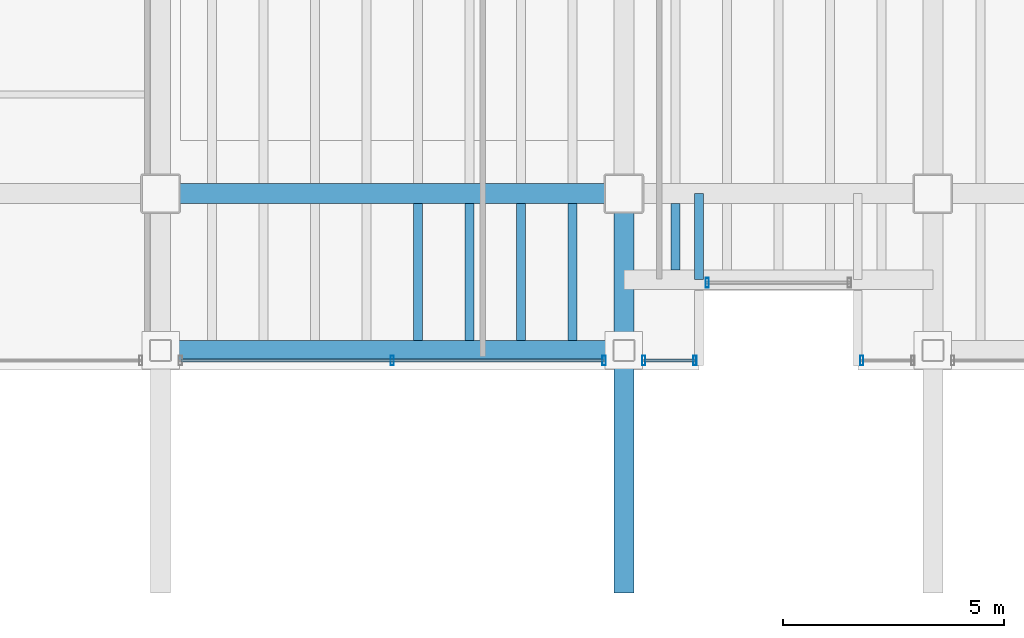
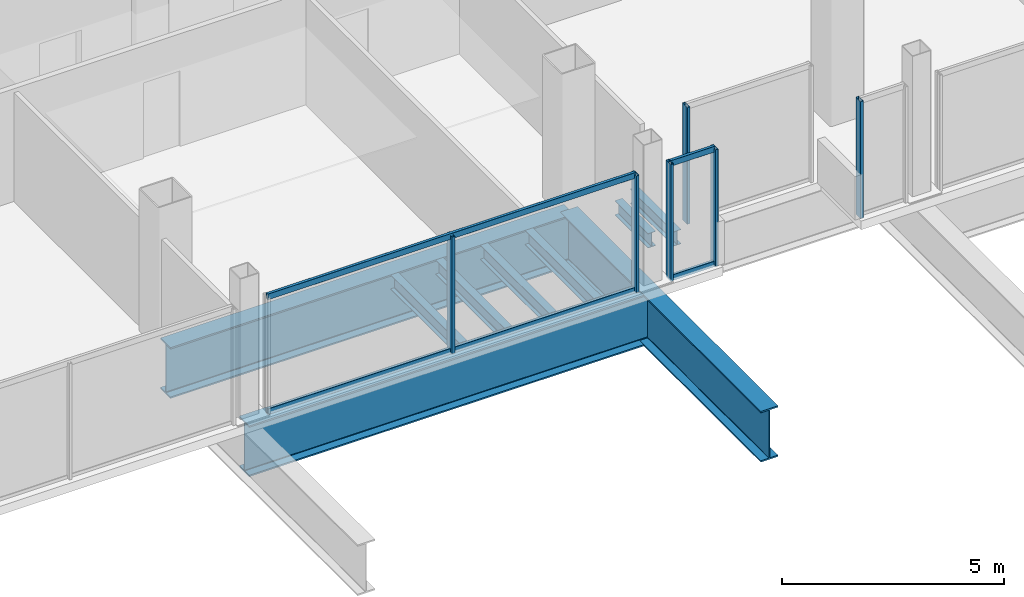
# One storey, part 5 of 24: 10 members, 9 beams, 4 elements without a shape of their own.
"""IFC4 building model written with IfcOpenShell, lengths in metres."""

from ifc_helpers import new_model, si_unit, direction, frame, origin, origin_2d, place, context, subcontext, project, spatial, hollow_rectangle, i_section, extrude, material, material_profile, profile_set, type_object, element, aggregate, save


model = new_model("IFC4")

# Units and contexts
model_context = context("Model", 3, precision=1e-05, world=origin(), true_north=direction((0.0, 1.0)))
body_context = subcontext(model_context, "Body", "Model", "MODEL_VIEW")
ifc_project = project(units=[si_unit("LENGTHUNIT", "METRE"), si_unit("AREAUNIT", "SQUARE_METRE"), si_unit("VOLUMEUNIT", "CUBIC_METRE"), si_unit("PLANEANGLEUNIT", "RADIAN"), si_unit("MASSUNIT", "GRAM", prefix="KILO")], contexts=[model_context])

# Site, building, storey
site_placement = place(None, origin())
site = spatial("IfcSite", under=ifc_project, at=site_placement, CompositionType="ELEMENT")
building_placement = place(site_placement, origin())
building = spatial("IfcBuilding", under=site, at=building_placement, Name="Noeulbin Bourse Tower", CompositionType="ELEMENT")
storey_placement = place(building_placement, frame((0.0, 0.0, 142.199951171875)))
storey = spatial("IfcBuildingStorey", under=building, at=storey_placement, Name="L35", CompositionType="ELEMENT", Elevation=142.199951171875)

# Beams
ifc_material_1 = material(Name="Steel S355", Category="steel")
ifc_material_profile_1 = material_profile(ifc_material_1, i_section(OverallWidth=0.199951171875, OverallDepth=0.39990234375, WebThickness=0.008056640625, FlangeThickness=0.012939453125, FilletRadius=0.01611328125, at=origin_2d()), Name="H-400x200x8x13", Category="LoadBearing")
ifc_profile_set_1 = profile_set([ifc_material_profile_1], Name="Steel S355")
beam_type_1 = type_object("IfcBeamType", Name="BM-SEC-400", PredefinedType="BEAM", material=ifc_profile_set_1)
beam_1_placement = place(storey_placement, frame((25.699951171875, 18.050048828125, -0.43994140625), z_axis=(0.0, 1.0, 0.0), x_axis=(-1.0, 0.0, 0.0)))
element("IfcBeam", 1, at=beam_1_placement, inside=storey, type_object=beam_type_1, Name="BM-L35-SRT-W", PredefinedType="BEAM", context=body_context, shape_type="SweptSolid", body=[
    extrude(i_section(OverallWidth=0.199951171875, OverallDepth=0.39990234375, WebThickness=0.008056640625, FlangeThickness=0.012939453125, FilletRadius=0.01611328125, at=origin_2d()), origin(), (0.0, 0.0, 1.0), 1.949951171875),
])
for number, where, z_axis, x_axis, name in (
    (2, (19.333251953125, 16.675048828125, -0.43994140625), (0.0, 1.0, 0.0), (-1.0, 0.0, 0.0), "Tower Composite Joist L35-13"),
    (3, (20.5, 16.675048828125, -0.43994140625), (0.0, 1.0, 0.0), (-1.0, 0.0, 0.0), "Tower Composite Joist L35-16"),
    (4, (21.666748046875, 16.675048828125, -0.43994140625), (0.0, 1.0, 0.0), (-1.0, 0.0, 0.0), "Tower Composite Joist L35-19"),
    (5, (22.833251953125, 16.675048828125, -0.43994140625), (0.0, 1.0, 0.0), (-1.0, 0.0, 0.0), "Tower Composite Joist L35-22"),
):
    element("IfcBeam", number, at=place(storey_placement, frame(where, z_axis=z_axis, x_axis=x_axis)), inside=storey, type_object=beam_type_1, Name=name, PredefinedType="BEAM", context=body_context, shape_type="SweptSolid", body=[
        extrude(i_section(OverallWidth=0.199951171875, OverallDepth=0.39990234375, WebThickness=0.008056640625, FlangeThickness=0.012939453125, FilletRadius=0.01611328125, at=origin_2d()), origin(), (0.0, 0.0, 1.0), 3.099853515625),
    ])
beam_2_placement = place(storey_placement, frame((25.166748046875, 18.27490234375, -0.43994140625), z_axis=(0.0, 1.0, 0.0), x_axis=(-1.0, 0.0, 0.0)))
element("IfcBeam", 6, at=beam_2_placement, inside=storey, type_object=beam_type_1, Name="Tower Composite Joist L35-25", PredefinedType="BEAM", context=body_context, shape_type="SweptSolid", body=[
    extrude(i_section(OverallWidth=0.199951171875, OverallDepth=0.39990234375, WebThickness=0.008056640625, FlangeThickness=0.012939453125, FilletRadius=0.01611328125, at=origin_2d()), origin(), (0.0, 0.0, 1.0), 1.5),
])
ifc_material_2 = material(Name="Steel S460", Category="steel")
ifc_material_profile_2 = material_profile(ifc_material_2, i_section(OverallWidth=0.449951171875, OverallDepth=1.39990234375, WebThickness=0.02392578125, FlangeThickness=0.0400390625, FilletRadius=0.02392578125, at=origin_2d()), Name="PG-1400x450x24x40", Category="LoadBearing")
ifc_profile_set_2 = profile_set([ifc_material_profile_2], Name="Steel S460")
beam_type_2 = type_object("IfcBeamType", Name="BM-TRF-1400", PredefinedType="USERDEFINED", material=ifc_profile_set_2)
beam_3_placement = place(storey_placement, frame((13.5, 20.0, -0.93994140625), z_axis=(1.0, 0.0, 0.0), x_axis=(0.0, 1.0, 0.0)))
element("IfcBeam", 7, at=beam_3_placement, inside=storey, type_object=beam_type_2, Name="Tower Primary Girder EW L35-1.2", ObjectType="GIRDER", PredefinedType="USERDEFINED", context=body_context, shape_type="SweptSolid", body=[
    extrude(i_section(OverallWidth=0.449951171875, OverallDepth=1.39990234375, WebThickness=0.02392578125, FlangeThickness=0.0400390625, FilletRadius=0.02392578125, at=origin_2d()), origin(), (0.0, 0.0, 1.0), 10.5),
])
beam_4_placement = place(storey_placement, frame((24.0, 10.949951171875, -0.93994140625), z_axis=(0.0, 1.0, 0.0), x_axis=(-1.0, 0.0, 0.0)))
element("IfcBeam", 8, at=beam_4_placement, inside=storey, type_object=beam_type_2, Name="Tower Primary Girder NS L35-2.1", ObjectType="GIRDER", PredefinedType="USERDEFINED", context=body_context, shape_type="SweptSolid", body=[
    extrude(i_section(OverallWidth=0.449951171875, OverallDepth=1.39990234375, WebThickness=0.02392578125, FlangeThickness=0.0400390625, FilletRadius=0.02392578125, at=origin_2d()), origin(), (0.0, 0.0, 1.0), 9.050048828125),
])
beam_5_placement = place(storey_placement, frame((13.5, 16.449951171875, -0.93994140625), z_axis=(1.0, 0.0, 0.0), x_axis=(0.0, 1.0, 0.0)))
element("IfcBeam", 9, at=beam_5_placement, inside=storey, type_object=beam_type_2, Name="South Spandrel L35-1", ObjectType="GIRDER", PredefinedType="USERDEFINED", context=body_context, shape_type="SweptSolid", body=[
    extrude(i_section(OverallWidth=0.449951171875, OverallDepth=1.39990234375, WebThickness=0.02392578125, FlangeThickness=0.0400390625, FilletRadius=0.02392578125, at=origin_2d()), origin(), (0.0, 0.0, 1.0), 10.5),
])

# Curtain wall, member
ifc_material_3 = material(Name="Dark Tinted Triple Glazing", Category="glass")
curtain_wall_type = type_object("IfcCurtainWallType", Name="CW-SYS-3", PredefinedType="NOTDEFINED", material=ifc_material_3)
curtain_wall_1_placement = place(storey_placement, origin())
curtain_wall_1 = element("IfcCurtainWall", 10, at=curtain_wall_1_placement, inside=storey, type_object=curtain_wall_type, Name="Unitised Curtain Wall CW-L35-SREC", PredefinedType="NOTDEFINED")
ifc_material_4 = material(Name="Anodised Aluminium 6063-T6", Category="aluminium")
ifc_material_profile_3 = material_profile(ifc_material_4, hollow_rectangle(XDim=0.074951171875, YDim=0.219970703125, WallThickness=0.0048828125, InnerFilletRadius=0.00244140625, OuterFilletRadius=0.0048828125, at=origin_2d()), Name="ALU-MULL-75x220x5", Category="LoadBearing")
ifc_profile_set_3 = profile_set([ifc_material_profile_3], Name="Anodised Aluminium 6063-T6")
member_type_1 = type_object("IfcMemberType", Name="CW-SYS-3-MUL", PredefinedType="MULLION", material=ifc_profile_set_3)
member_1_placement = place(storey_placement, frame((25.889892578125, 17.97998046875, -0.02001953125), z_axis=(0.0, 0.0, 1.0), x_axis=(1.0, 0.0, 0.0)))
member_1 = element("IfcMember", 11, at=member_1_placement, type_object=member_type_1, Name="Curtain Wall Mullion CW-L35-SREC-M00", PredefinedType="MULLION", context=body_context, shape_type="SweptSolid", body=[
    extrude(hollow_rectangle(XDim=0.074951171875, YDim=0.219970703125, WallThickness=0.0048828125, InnerFilletRadius=0.00244140625, OuterFilletRadius=0.0048828125, at=origin_2d()), origin(), (0.0, 0.0, 1.0), 3.219970703125),
])
aggregate(curtain_wall_1, [member_1])

# Curtain wall, members
curtain_wall_2_placement = place(storey_placement, origin())
curtain_wall_2 = element("IfcCurtainWall", 12, at=curtain_wall_2_placement, inside=storey, type_object=curtain_wall_type, Name="Unitised Curtain Wall CW-L35-S1-S2", PredefinedType="NOTDEFINED")
member_2_placement = place(storey_placement, frame((18.75, 16.219970703125, -0.02001953125), z_axis=(0.0, 0.0, 1.0), x_axis=(1.0, 0.0, 0.0)))
member_2 = element("IfcMember", 13, at=member_2_placement, type_object=member_type_1, Name="Curtain Wall Mullion CW-L35-S1-S2-M01", PredefinedType="MULLION", context=body_context, shape_type="SweptSolid", body=[
    extrude(hollow_rectangle(XDim=0.074951171875, YDim=0.219970703125, WallThickness=0.0048828125, InnerFilletRadius=0.00244140625, OuterFilletRadius=0.0048828125, at=origin_2d()), origin(), (0.0, 0.0, 1.0), 3.219970703125),
])
member_3_placement = place(storey_placement, frame((23.550048828125, 16.219970703125, -0.02001953125), z_axis=(0.0, 0.0, 1.0), x_axis=(1.0, 0.0, 0.0)))
member_3 = element("IfcMember", 14, at=member_3_placement, type_object=member_type_1, Name="Curtain Wall Mullion CW-L35-S1-S2-M02", PredefinedType="MULLION", context=body_context, shape_type="SweptSolid", body=[
    extrude(hollow_rectangle(XDim=0.074951171875, YDim=0.219970703125, WallThickness=0.0048828125, InnerFilletRadius=0.00244140625, OuterFilletRadius=0.0048828125, at=origin_2d()), origin(), (0.0, 0.0, 1.0), 3.219970703125),
])

curtain_wall_3_placement = place(storey_placement, origin())
curtain_wall_3 = element("IfcCurtainWall", 15, at=curtain_wall_3_placement, inside=storey, type_object=curtain_wall_type, Name="Unitised Curtain Wall CW-L35-S1-S3", PredefinedType="NOTDEFINED")
member_4_placement = place(storey_placement, frame((24.449951171875, 16.219970703125, -0.02001953125), z_axis=(0.0, 0.0, 1.0), x_axis=(1.0, 0.0, 0.0)))
member_4 = element("IfcMember", 16, at=member_4_placement, type_object=member_type_1, Name="Curtain Wall Mullion CW-L35-S1-S3-M00", PredefinedType="MULLION", context=body_context, shape_type="SweptSolid", body=[
    extrude(hollow_rectangle(XDim=0.074951171875, YDim=0.219970703125, WallThickness=0.0048828125, InnerFilletRadius=0.00244140625, OuterFilletRadius=0.0048828125, at=origin_2d()), origin(), (0.0, 0.0, 1.0), 3.219970703125),
])
member_5_placement = place(storey_placement, frame((25.610107421875, 16.219970703125, -0.02001953125), z_axis=(0.0, 0.0, 1.0), x_axis=(1.0, 0.0, 0.0)))
member_5 = element("IfcMember", 17, at=member_5_placement, type_object=member_type_1, Name="Curtain Wall Mullion CW-L35-S1-S3-M01", PredefinedType="MULLION", context=body_context, shape_type="SweptSolid", body=[
    extrude(hollow_rectangle(XDim=0.074951171875, YDim=0.219970703125, WallThickness=0.0048828125, InnerFilletRadius=0.00244140625, OuterFilletRadius=0.0048828125, at=origin_2d()), origin(), (0.0, 0.0, 1.0), 3.219970703125),
])

# Curtain wall, member
curtain_wall_4_placement = place(storey_placement, origin())
curtain_wall_4 = element("IfcCurtainWall", 18, at=curtain_wall_4_placement, inside=storey, type_object=curtain_wall_type, Name="Unitised Curtain Wall CW-L35-S2-S1", PredefinedType="NOTDEFINED")
member_6_placement = place(storey_placement, frame((29.389892578125, 16.219970703125, -0.02001953125), z_axis=(0.0, 0.0, 1.0), x_axis=(1.0, 0.0, 0.0)))
member_6 = element("IfcMember", 19, at=member_6_placement, type_object=member_type_1, Name="Curtain Wall Mullion CW-L35-S2-S1-M00", PredefinedType="MULLION", context=body_context, shape_type="SweptSolid", body=[
    extrude(hollow_rectangle(XDim=0.074951171875, YDim=0.219970703125, WallThickness=0.0048828125, InnerFilletRadius=0.00244140625, OuterFilletRadius=0.0048828125, at=origin_2d()), origin(), (0.0, 0.0, 1.0), 3.219970703125),
])
aggregate(curtain_wall_4, [member_6])

# Member
ifc_material_profile_4 = material_profile(ifc_material_4, hollow_rectangle(XDim=0.074951171875, YDim=0.159912109375, WallThickness=0.0048828125, InnerFilletRadius=0.00244140625, OuterFilletRadius=0.0048828125, at=origin_2d()), Name="ALU-TRAN-75x160x5", Category="LoadBearing")
ifc_profile_set_4 = profile_set([ifc_material_profile_4], Name="Anodised Aluminium 6063-T6")
member_type_2 = type_object("IfcMemberType", Name="CW-SYS-3-TRN", PredefinedType="USERDEFINED", material=ifc_profile_set_4)
member_7_placement = place(storey_placement, frame((13.9599609375, 16.219970703125, 0.010009765625), z_axis=(1.0, 0.0, 0.0), x_axis=(0.0, 1.0, 0.0)))
member_7 = element("IfcMember", 20, at=member_7_placement, type_object=member_type_2, Name="Curtain Wall Transom CW-L35-S1-S2-T00", ObjectType="TRANSOM", PredefinedType="USERDEFINED", context=body_context, shape_type="SweptSolid", body=[
    extrude(hollow_rectangle(XDim=0.074951171875, YDim=0.159912109375, WallThickness=0.0048828125, InnerFilletRadius=0.00244140625, OuterFilletRadius=0.0048828125, at=origin_2d()), origin(), (0.0, 0.0, 1.0), 9.580078125),
])

member_8_placement = place(storey_placement, frame((13.9599609375, 16.219970703125, 3.170166015625), z_axis=(1.0, 0.0, 0.0), x_axis=(0.0, 1.0, 0.0)))
member_8 = element("IfcMember", 21, at=member_8_placement, type_object=member_type_2, Name="Curtain Wall Transom CW-L35-S1-S2-T01", ObjectType="TRANSOM", PredefinedType="USERDEFINED", context=body_context, shape_type="SweptSolid", body=[
    extrude(hollow_rectangle(XDim=0.074951171875, YDim=0.159912109375, WallThickness=0.0048828125, InnerFilletRadius=0.00244140625, OuterFilletRadius=0.0048828125, at=origin_2d()), origin(), (0.0, 0.0, 1.0), 9.580078125),
])

aggregate(curtain_wall_2, [member_2, member_3, member_7, member_8])

member_9_placement = place(storey_placement, frame((24.4599609375, 16.219970703125, 0.010009765625), z_axis=(1.0, 0.0, 0.0), x_axis=(0.0, 1.0, 0.0)))
member_9 = element("IfcMember", 22, at=member_9_placement, type_object=member_type_2, Name="Curtain Wall Transom CW-L35-S1-S3-T00", ObjectType="TRANSOM", PredefinedType="USERDEFINED", context=body_context, shape_type="SweptSolid", body=[
    extrude(hollow_rectangle(XDim=0.074951171875, YDim=0.159912109375, WallThickness=0.0048828125, InnerFilletRadius=0.00244140625, OuterFilletRadius=0.0048828125, at=origin_2d()), origin(), (0.0, 0.0, 1.0), 1.14013671875),
])

member_10_placement = place(storey_placement, frame((24.4599609375, 16.219970703125, 3.170166015625), z_axis=(1.0, 0.0, 0.0), x_axis=(0.0, 1.0, 0.0)))
member_10 = element("IfcMember", 23, at=member_10_placement, type_object=member_type_2, Name="Curtain Wall Transom CW-L35-S1-S3-T01", ObjectType="TRANSOM", PredefinedType="USERDEFINED", context=body_context, shape_type="SweptSolid", body=[
    extrude(hollow_rectangle(XDim=0.074951171875, YDim=0.159912109375, WallThickness=0.0048828125, InnerFilletRadius=0.00244140625, OuterFilletRadius=0.0048828125, at=origin_2d()), origin(), (0.0, 0.0, 1.0), 1.14013671875),
])

aggregate(curtain_wall_3, [member_4, member_5, member_9, member_10])

save(model, "model.ifc")
